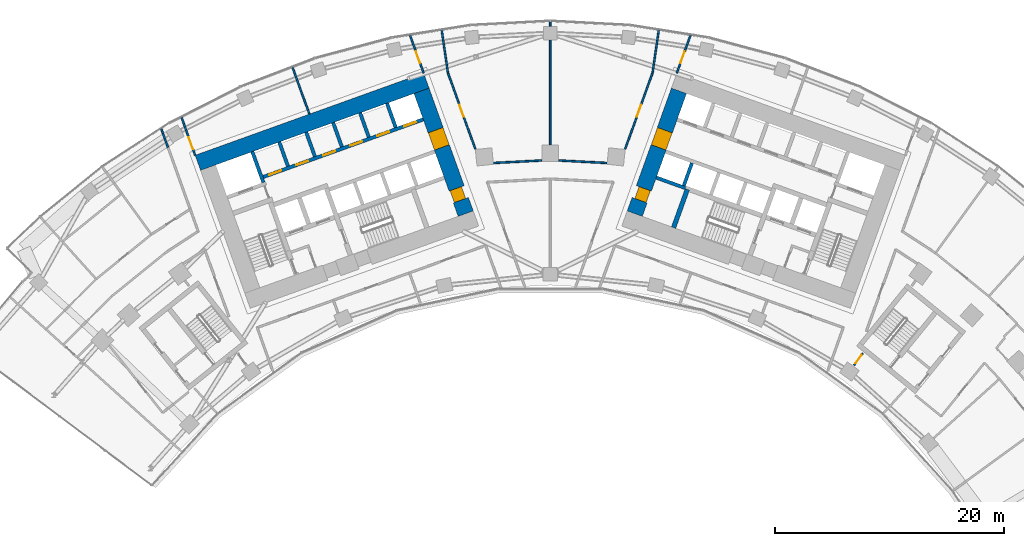
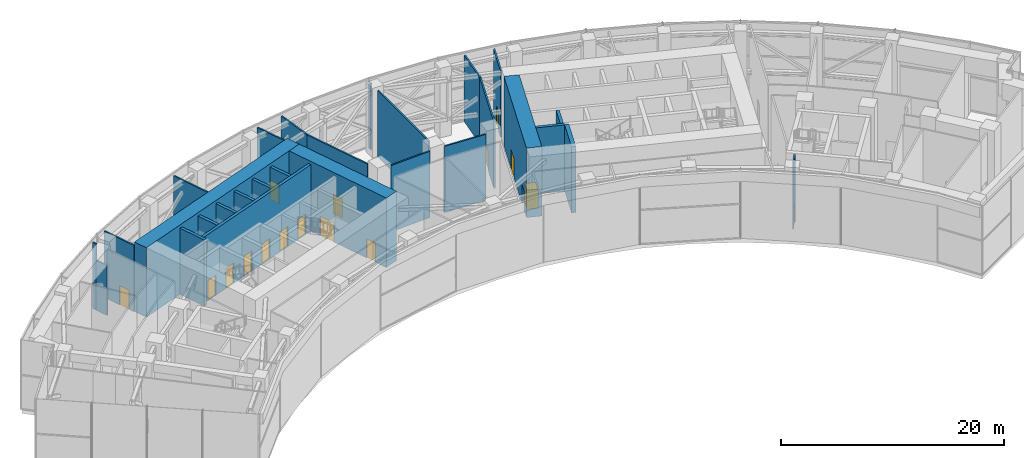
# One storey, part 24 of 30: 28 walls, 16 doors, 16 openings.
"""IFC4 building model written with IfcOpenShell, lengths in metres."""

from ifc_helpers import new_model, si_unit, direction, frame, frame_2d, origin, place, context, subcontext, project, spatial, rectangle, extrude, material, layer, layer_set, type_object, element, fill, save


model = new_model("IFC4")

# Units and contexts
model_context = context("Model", 3, precision=1e-05, world=origin(), true_north=direction((0.0, 1.0)))
body_context = subcontext(model_context, "Body", "Model", "MODEL_VIEW")
ifc_project = project(units=[si_unit("LENGTHUNIT", "METRE"), si_unit("AREAUNIT", "SQUARE_METRE"), si_unit("VOLUMEUNIT", "CUBIC_METRE"), si_unit("PLANEANGLEUNIT", "RADIAN"), si_unit("MASSUNIT", "GRAM", prefix="KILO")], contexts=[model_context])

# Site, building, storey
site_placement = place(None, origin())
site = spatial("IfcSite", under=ifc_project, at=site_placement, CompositionType="ELEMENT")
building_placement = place(site_placement, origin())
building = spatial("IfcBuilding", under=site, at=building_placement, Name="Stone Belt Terrace Tower", CompositionType="ELEMENT")
storey_placement = place(building_placement, frame((0.0, 0.0, 136.39990234375)))
storey = spatial("IfcBuildingStorey", under=building, at=storey_placement, Name="L33", CompositionType="ELEMENT", Elevation=136.39990234375)

# Wall
ifc_material_1 = material(Name="Concrete B80", Category="concrete")
ifc_layer_1 = layer(ifc_material_1, 1.39990234375)
ifc_layer_set_1 = layer_set([ifc_layer_1], Name="Core wall 1400 B80")
wall_type_1 = type_object("IfcWallType", Name="Core wall 1400 B80", PredefinedType="SHEAR", material=ifc_layer_set_1)
wall_1_placement = place(storey_placement, frame((-30.765380859375, 54.18310546875, 0.0), z_axis=(0.0, 0.0, 1.0), x_axis=(0.940919704758, 0.338629752382, 0.0)))
element("IfcWall", 1, at=wall_1_placement, inside=storey, type_object=wall_type_1, Name="Core A wall convex L33", PredefinedType="SHEAR", context=body_context, shape_type="SweptSolid", body=[
    extrude(rectangle(XDim=21.199951171875, YDim=1.39990234375, at=frame_2d((10.60009765625, 0.0))), origin(), (0.0, 0.0, 1.0), 7.60009765625),
])

# Wall, openings, doors
wall_2_placement = place(storey_placement, frame((-7.379150390625, 49.73974609375, 0.0), z_axis=(0.0, 0.0, 1.0), x_axis=(-0.338625431531, 0.940921259788, 0.0)))
wall_2 = element("IfcWall", 2, at=wall_2_placement, inside=storey, type_object=wall_type_1, Name="Core A wall end_b L33", PredefinedType="SHEAR", context=body_context, shape_type="SweptSolid", body=[
    extrude(rectangle(XDim=11.400146484375, YDim=1.39990234375, at=frame_2d((5.7001953125, 0.0))), origin(), (0.0, 0.0, 1.0), 7.60009765625),
])
opening_1_placement = place(wall_2_placement, frame((6.14990234375, 0.0, 0.0)))
opening_1 = element("IfcOpeningElement", 3, at=opening_1_placement, cuts=wall_2, Name="Opening L33-C02", PredefinedType="OPENING", context=body_context, shape_type="SweptSolid", body=[
    extrude(rectangle(XDim=1.60009765625, YDim=2.10009765625, at=frame_2d((0.800048828125, 1.050048828125))), frame((0.0, 0.7099609375, 0.0), z_axis=(0.0, -1.0, 0.0), x_axis=(1.0, 0.0, 0.0)), (0.0, 0.0, 1.0), 1.419921875),
])
opening_2_placement = place(wall_2_placement, frame((1.25, 0.0, 0.0)))
opening_2 = element("IfcOpeningElement", 4, at=opening_2_placement, cuts=wall_2, Name="Opening L33-C08", PredefinedType="OPENING", context=body_context, shape_type="SweptSolid", body=[
    extrude(rectangle(XDim=1.10009765625, YDim=2.10009765625, at=frame_2d((0.550048828125, 1.050048828125))), frame((0.0, 0.7099609375, 0.0), z_axis=(0.0, -1.0, 0.0), x_axis=(1.0, 0.0, 0.0)), (0.0, 0.0, 1.0), 1.419921875),
])
ifc_material_2 = material(Name="Timber door leaf", Category="wood")
door_type_1 = type_object("IfcDoorType", Name="Core room door 1100", OperationType="SINGLE_SWING_LEFT", PredefinedType="DOOR", material=ifc_material_2)
door_1_placement = place(opening_2_placement, origin())
door_1 = element("IfcDoor", 5, at=door_1_placement, inside=storey, type_object=door_type_1, Name="Door to Mechanical plant room core A", OperationType="SINGLE_SWING_LEFT", OverallHeight=2.10009765625, OverallWidth=1.10009765625, PredefinedType="DOOR", context=body_context, shape_type="SweptSolid", body=[
    extrude(rectangle(XDim=1.10009765625, YDim=2.10009765625, at=frame_2d((0.550048828125, 1.050048828125))), frame((0.0, 0.60498046875, 0.0), z_axis=(0.0, -1.0, 0.0), x_axis=(1.0, 0.0, 0.0)), (0.0, 0.0, 1.0), 1.050048828125),
])
fill(opening_2, door_1)
ifc_material_3 = material(Name="Glazed aluminium door leaf", Category="aluminium")
door_type_2 = type_object("IfcDoorType", Name="Lift lobby entrance door 1600", OperationType="DOUBLE_DOOR_SINGLE_SWING", PredefinedType="DOOR", material=ifc_material_3)
door_2_placement = place(opening_1_placement, origin())
door_2 = element("IfcDoor", 6, at=door_2_placement, inside=storey, type_object=door_type_2, Name="Lift lobby entrance door core A", OperationType="DOUBLE_DOOR_SINGLE_SWING", OverallHeight=2.10009765625, OverallWidth=1.60009765625, PredefinedType="DOOR", context=body_context, shape_type="SweptSolid", body=[
    extrude(rectangle(XDim=1.60009765625, YDim=2.10009765625, at=frame_2d((0.800048828125, 1.050048828125))), frame((0.0, 0.68017578125, 0.0), z_axis=(0.0, -1.0, 0.0), x_axis=(1.0, 0.0, 0.0)), (0.0, 0.0, 1.0), 1.360107421875),
])
fill(opening_1, door_2)

wall_3_placement = place(storey_placement, frame((7.379150390625, 49.73974609375, 0.0), z_axis=(0.0, 0.0, 1.0), x_axis=(0.338625431531, 0.940921259788, 0.0)))
wall_3 = element("IfcWall", 7, at=wall_3_placement, inside=storey, type_object=wall_type_1, Name="Core B wall end_a L33", PredefinedType="SHEAR", context=body_context, shape_type="SweptSolid", body=[
    extrude(rectangle(XDim=11.400146484375, YDim=1.39990234375, at=frame_2d((5.7001953125, 0.0))), origin(), (0.0, 0.0, 1.0), 7.60009765625),
])
opening_3_placement = place(wall_3_placement, frame((6.14990234375, 0.0, 0.0)))
opening_3 = element("IfcOpeningElement", 8, at=opening_3_placement, cuts=wall_3, Name="Opening L33-C10", PredefinedType="OPENING", context=body_context, shape_type="SweptSolid", body=[
    extrude(rectangle(XDim=1.60009765625, YDim=2.10009765625, at=frame_2d((0.800048828125, 1.050048828125))), frame((0.0, 0.7099609375, 0.0), z_axis=(0.0, -1.0, 0.0), x_axis=(1.0, 0.0, 0.0)), (0.0, 0.0, 1.0), 1.419921875),
])
opening_4_placement = place(wall_3_placement, frame((1.25, 0.0, 0.0)))
opening_4 = element("IfcOpeningElement", 9, at=opening_4_placement, cuts=wall_3, Name="Opening L33-C16", PredefinedType="OPENING", context=body_context, shape_type="SweptSolid", body=[
    extrude(rectangle(XDim=1.10009765625, YDim=2.10009765625, at=frame_2d((0.550048828125, 1.050048828125))), frame((0.0, 0.7099609375, 0.0), z_axis=(0.0, -1.0, 0.0), x_axis=(1.0, 0.0, 0.0)), (0.0, 0.0, 1.0), 1.419921875),
])
door_3_placement = place(opening_4_placement, origin())
door_3 = element("IfcDoor", 10, at=door_3_placement, inside=storey, type_object=door_type_1, Name="Door to Mechanical plant room core B", OperationType="SINGLE_SWING_RIGHT", OverallHeight=2.10009765625, OverallWidth=1.10009765625, PredefinedType="DOOR", context=body_context, shape_type="SweptSolid", body=[
    extrude(rectangle(XDim=1.10009765625, YDim=2.10009765625, at=frame_2d((0.550048828125, 1.050048828125))), frame((0.0, 0.44482421875, 0.0), z_axis=(0.0, -1.0, 0.0), x_axis=(1.0, 0.0, 0.0)), (0.0, 0.0, 1.0), 1.050048828125),
])
fill(opening_4, door_3)
door_4_placement = place(opening_3_placement, origin())
door_4 = element("IfcDoor", 11, at=door_4_placement, inside=storey, type_object=door_type_2, Name="Lift lobby entrance door core B", OperationType="DOUBLE_DOOR_SINGLE_SWING", OverallHeight=2.10009765625, OverallWidth=1.60009765625, PredefinedType="DOOR", context=body_context, shape_type="SweptSolid", body=[
    extrude(rectangle(XDim=1.60009765625, YDim=2.10009765625, at=frame_2d((0.800048828125, 1.050048828125))), frame((0.0, 0.68017578125, 0.0), z_axis=(0.0, -1.0, 0.0), x_axis=(1.0, 0.0, 0.0)), (0.0, 0.0, 1.0), 1.360107421875),
])
fill(opening_3, door_4)

# Wall
ifc_layer_2 = layer(ifc_material_1, 0.300048828125)
ifc_layer_set_2 = layer_set([ifc_layer_2], Name="Lift shaft wall 300")
wall_type_2 = type_object("IfcWallType", Name="Lift shaft wall 300", PredefinedType="SHEAR", material=ifc_layer_set_2)
wall_4_placement = place(storey_placement, frame((-25.046875, 52.46826171875, 0.0), z_axis=(0.0, 0.0, 1.0), x_axis=(-0.338549588058, 0.940948551423, 0.0)))
element("IfcWall", 12, at=wall_4_placement, inside=storey, type_object=wall_type_2, Name="Core A wall", PredefinedType="SHEAR", context=body_context, shape_type="SweptSolid", body=[
    extrude(rectangle(XDim=2.849853515625, YDim=0.300048828125, at=frame_2d((1.4248046875, 0.0))), origin(), (0.0, 0.0, 1.0), 7.25),
])

# Wall, openings, doors
wall_5_placement = place(storey_placement, frame((-25.05810546875, 52.9423828125, 0.0), z_axis=(0.0, 0.0, 1.0), x_axis=(0.940918215764, 0.338633889685, 0.0)))
wall_5 = element("IfcWall", 13, at=wall_5_placement, inside=storey, type_object=wall_type_2, Name="Core A wall", PredefinedType="SHEAR", context=body_context, shape_type="SweptSolid", body=[
    extrude(rectangle(XDim=14.850341796875, YDim=0.300048828125, at=frame_2d((7.42529296875, 0.0))), origin(), (0.0, 0.0, 1.0), 7.25),
])
opening_5_placement = place(wall_5_placement, frame((0.570068359375, 0.0, 0.0)))
opening_5 = element("IfcOpeningElement", 14, at=opening_5_placement, cuts=wall_5, Name="Opening L33-LD01", PredefinedType="OPENING", context=body_context, shape_type="SweptSolid", body=[
    extrude(rectangle(XDim=1.10009765625, YDim=2.199951171875, at=frame_2d((0.550048828125, 1.10009765625))), frame((0.0, 0.159912109375, 0.0), z_axis=(0.0, -1.0, 0.0), x_axis=(1.0, 0.0, 0.0)), (0.0, 0.0, 1.0), 0.320068359375),
])
opening_6_placement = place(wall_5_placement, frame((3.070068359375, 0.0, 0.0)))
opening_6 = element("IfcOpeningElement", 15, at=opening_6_placement, cuts=wall_5, Name="Opening L33-LD02", PredefinedType="OPENING", context=body_context, shape_type="SweptSolid", body=[
    extrude(rectangle(XDim=1.10009765625, YDim=2.199951171875, at=frame_2d((0.550048828125, 1.10009765625))), frame((0.0, 0.159912109375, 0.0), z_axis=(0.0, -1.0, 0.0), x_axis=(1.0, 0.0, 0.0)), (0.0, 0.0, 1.0), 0.320068359375),
])
opening_7_placement = place(wall_5_placement, frame((5.570068359375, 0.0, 0.0)))
opening_7 = element("IfcOpeningElement", 16, at=opening_7_placement, cuts=wall_5, Name="Opening L33-LD03", PredefinedType="OPENING", context=body_context, shape_type="SweptSolid", body=[
    extrude(rectangle(XDim=1.10009765625, YDim=2.199951171875, at=frame_2d((0.550048828125, 1.10009765625))), frame((0.0, 0.159912109375, 0.0), z_axis=(0.0, -1.0, 0.0), x_axis=(1.0, 0.0, 0.0)), (0.0, 0.0, 1.0), 0.320068359375),
])
opening_8_placement = place(wall_5_placement, frame((8.070068359375, 0.0, 0.0)))
opening_8 = element("IfcOpeningElement", 17, at=opening_8_placement, cuts=wall_5, Name="Opening L33-LD04", PredefinedType="OPENING", context=body_context, shape_type="SweptSolid", body=[
    extrude(rectangle(XDim=1.10009765625, YDim=2.199951171875, at=frame_2d((0.550048828125, 1.10009765625))), frame((0.0, 0.159912109375, 0.0), z_axis=(0.0, -1.0, 0.0), x_axis=(1.0, 0.0, 0.0)), (0.0, 0.0, 1.0), 0.320068359375),
])
opening_9_placement = place(wall_5_placement, frame((10.570068359375, 0.0, 0.0)))
opening_9 = element("IfcOpeningElement", 18, at=opening_9_placement, cuts=wall_5, Name="Opening L33-LD05", PredefinedType="OPENING", context=body_context, shape_type="SweptSolid", body=[
    extrude(rectangle(XDim=1.10009765625, YDim=2.199951171875, at=frame_2d((0.550048828125, 1.10009765625))), frame((0.0, 0.159912109375, 0.0), z_axis=(0.0, -1.0, 0.0), x_axis=(1.0, 0.0, 0.0)), (0.0, 0.0, 1.0), 0.320068359375),
])
opening_10_placement = place(wall_5_placement, frame((13.070068359375, 0.0, 0.0)))
opening_10 = element("IfcOpeningElement", 19, at=opening_10_placement, cuts=wall_5, Name="Opening L33-LD06", PredefinedType="OPENING", context=body_context, shape_type="SweptSolid", body=[
    extrude(rectangle(XDim=1.10009765625, YDim=2.199951171875, at=frame_2d((0.550048828125, 1.10009765625))), frame((0.0, 0.159912109375, 0.0), z_axis=(0.0, -1.0, 0.0), x_axis=(1.0, 0.0, 0.0)), (0.0, 0.0, 1.0), 0.320068359375),
])
ifc_material_4 = material(Name="Stainless steel door leaf", Category="steel")
door_type_3 = type_object("IfcDoorType", Name="Landing door 1100", OperationType="SLIDING_TO_LEFT", PredefinedType="DOOR", material=ifc_material_4)
door_5_placement = place(opening_5_placement, origin())
door_5 = element("IfcDoor", 20, at=door_5_placement, inside=storey, type_object=door_type_3, Name="Landing door LR1 core A", OperationType="SLIDING_TO_LEFT", OverallHeight=2.199951171875, OverallWidth=1.10009765625, PredefinedType="DOOR", context=body_context, shape_type="SweptSolid", body=[
    extrude(rectangle(XDim=1.10009765625, YDim=2.199951171875, at=frame_2d((0.550048828125, 1.10009765625))), frame((0.0, 0.02490234375, 0.0), z_axis=(0.0, -1.0, 0.0), x_axis=(1.0, 0.0, 0.0)), (0.0, 0.0, 1.0), 0.050048828125),
])
fill(opening_5, door_5)
door_6_placement = place(opening_6_placement, origin())
door_6 = element("IfcDoor", 21, at=door_6_placement, inside=storey, type_object=door_type_3, Name="Landing door LR2 core A", OperationType="SLIDING_TO_LEFT", OverallHeight=2.199951171875, OverallWidth=1.10009765625, PredefinedType="DOOR", context=body_context, shape_type="SweptSolid", body=[
    extrude(rectangle(XDim=1.10009765625, YDim=2.199951171875, at=frame_2d((0.550048828125, 1.10009765625))), frame((0.0, 0.02490234375, 0.0), z_axis=(0.0, -1.0, 0.0), x_axis=(1.0, 0.0, 0.0)), (0.0, 0.0, 1.0), 0.050048828125),
])
fill(opening_6, door_6)
door_7_placement = place(opening_7_placement, origin())
door_7 = element("IfcDoor", 22, at=door_7_placement, inside=storey, type_object=door_type_3, Name="Landing door LR3 core A", OperationType="SLIDING_TO_LEFT", OverallHeight=2.199951171875, OverallWidth=1.10009765625, PredefinedType="DOOR", context=body_context, shape_type="SweptSolid", body=[
    extrude(rectangle(XDim=1.10009765625, YDim=2.199951171875, at=frame_2d((0.550048828125, 1.10009765625))), frame((0.0, 0.02490234375, 0.0), z_axis=(0.0, -1.0, 0.0), x_axis=(1.0, 0.0, 0.0)), (0.0, 0.0, 1.0), 0.050048828125),
])
fill(opening_7, door_7)
door_8_placement = place(opening_8_placement, origin())
door_8 = element("IfcDoor", 23, at=door_8_placement, inside=storey, type_object=door_type_3, Name="Landing door LR4 core A", OperationType="SLIDING_TO_LEFT", OverallHeight=2.199951171875, OverallWidth=1.10009765625, PredefinedType="DOOR", context=body_context, shape_type="SweptSolid", body=[
    extrude(rectangle(XDim=1.10009765625, YDim=2.199951171875, at=frame_2d((0.550048828125, 1.10009765625))), frame((0.0, 0.02490234375, 0.0), z_axis=(0.0, -1.0, 0.0), x_axis=(1.0, 0.0, 0.0)), (0.0, 0.0, 1.0), 0.050048828125),
])
fill(opening_8, door_8)
door_9_placement = place(opening_9_placement, origin())
door_9 = element("IfcDoor", 24, at=door_9_placement, inside=storey, type_object=door_type_3, Name="Landing door LR5 core A", OperationType="SLIDING_TO_LEFT", OverallHeight=2.199951171875, OverallWidth=1.10009765625, PredefinedType="DOOR", context=body_context, shape_type="SweptSolid", body=[
    extrude(rectangle(XDim=1.10009765625, YDim=2.199951171875, at=frame_2d((0.550048828125, 1.10009765625))), frame((0.0, 0.02490234375, 0.0), z_axis=(0.0, -1.0, 0.0), x_axis=(1.0, 0.0, 0.0)), (0.0, 0.0, 1.0), 0.050048828125),
])
fill(opening_9, door_9)
door_10_placement = place(opening_10_placement, origin())
door_10 = element("IfcDoor", 25, at=door_10_placement, inside=storey, type_object=door_type_3, Name="Landing door LR6 core A", OperationType="SLIDING_TO_LEFT", OverallHeight=2.199951171875, OverallWidth=1.10009765625, PredefinedType="DOOR", context=body_context, shape_type="SweptSolid", body=[
    extrude(rectangle(XDim=1.10009765625, YDim=2.199951171875, at=frame_2d((0.550048828125, 1.10009765625))), frame((0.0, 0.02490234375, 0.0), z_axis=(0.0, -1.0, 0.0), x_axis=(1.0, 0.0, 0.0)), (0.0, 0.0, 1.0), 0.050048828125),
])
fill(opening_10, door_10)

# Walls
wall_6_placement = place(storey_placement, frame((-22.897705078125, 53.87939453125, 0.0), z_axis=(0.0, 0.0, 1.0), x_axis=(-0.338535034312, 0.940953787677, 0.0)))
element("IfcWall", 26, at=wall_6_placement, inside=storey, type_object=wall_type_2, Name="Core A wall", PredefinedType="SHEAR", context=body_context, shape_type="SweptSolid", body=[
    extrude(rectangle(XDim=2.25, YDim=0.300048828125, at=frame_2d((1.125, 0.0))), origin(), (0.0, 0.0, 1.0), 7.25),
])
wall_7_placement = place(storey_placement, frame((-20.54541015625, 54.72607421875, 0.0), z_axis=(0.0, 0.0, 1.0), x_axis=(-0.338569601369, 0.940941350472, 0.0)))
element("IfcWall", 27, at=wall_7_placement, inside=storey, type_object=wall_type_2, Name="Core A wall", PredefinedType="SHEAR", context=body_context, shape_type="SweptSolid", body=[
    extrude(rectangle(XDim=2.249755859375, YDim=0.300048828125, at=frame_2d((1.125, 0.0))), origin(), (0.0, 0.0, 1.0), 7.25),
])
wall_8_placement = place(storey_placement, frame((-18.193115234375, 55.572509765625, 0.0), z_axis=(0.0, 0.0, 1.0), x_axis=(-0.338535034312, 0.940953787677, 0.0)))
element("IfcWall", 28, at=wall_8_placement, inside=storey, type_object=wall_type_2, Name="Core A wall", PredefinedType="SHEAR", context=body_context, shape_type="SweptSolid", body=[
    extrude(rectangle(XDim=2.25, YDim=0.300048828125, at=frame_2d((1.125, 0.0))), origin(), (0.0, 0.0, 1.0), 7.25),
])
wall_9_placement = place(storey_placement, frame((-15.8408203125, 56.419189453125, 0.0), z_axis=(0.0, 0.0, 1.0), x_axis=(-0.338569601369, 0.940941350472, 0.0)))
element("IfcWall", 29, at=wall_9_placement, inside=storey, type_object=wall_type_2, Name="Core A wall", PredefinedType="SHEAR", context=body_context, shape_type="SweptSolid", body=[
    extrude(rectangle(XDim=2.249755859375, YDim=0.300048828125, at=frame_2d((1.125, 0.0))), origin(), (0.0, 0.0, 1.0), 7.25),
])
wall_10_placement = place(storey_placement, frame((-13.48828125, 57.265625, 0.0), z_axis=(0.0, 0.0, 1.0), x_axis=(-0.338631098537, 0.940919220286, 0.0)))
element("IfcWall", 30, at=wall_10_placement, inside=storey, type_object=wall_type_2, Name="Core A wall", PredefinedType="SHEAR", context=body_context, shape_type="SweptSolid", body=[
    extrude(rectangle(XDim=2.250244140625, YDim=0.300048828125, at=frame_2d((1.125, 0.0))), origin(), (0.0, 0.0, 1.0), 7.25),
])
wall_11_placement = place(storey_placement, frame((11.797119140625, 51.975830078125, 0.0), z_axis=(0.0, 0.0, 1.0), x_axis=(-0.940910465161, 0.33865542451, 0.0)))
element("IfcWall", 31, at=wall_11_placement, inside=storey, type_object=wall_type_2, Name="Core B wall", PredefinedType="SHEAR", context=body_context, shape_type="SweptSolid", body=[
    extrude(rectangle(XDim=2.69970703125, YDim=0.300048828125, at=frame_2d((1.349853515625, 0.0))), origin(), (0.0, 0.0, 1.0), 7.25),
])
wall_12_placement = place(storey_placement, frame((11.659912109375, 52.184814453125, 0.0), z_axis=(0.0, 0.0, 1.0), x_axis=(0.338670064856, 0.940905195634, 0.0)))
element("IfcWall", 32, at=wall_12_placement, inside=storey, type_object=wall_type_2, Name="Core B wall", PredefinedType="SHEAR", context=body_context, shape_type="SweptSolid", body=[
    extrude(rectangle(XDim=2.099853515625, YDim=0.300048828125, at=frame_2d((1.0498046875, 0.0))), origin(), (0.0, 0.0, 1.0), 7.25),
])

# Wall, opening, door
ifc_material_5 = material(Name="Gypsum board partition")
ifc_layer_3 = layer(ifc_material_5, 0.14990234375)
ifc_layer_set_3 = layer_set([ifc_layer_3], Name="PARTITION 150 EI 60")
wall_type_3 = type_object("IfcWallType", Name="PARTITION 150 EI 60", PredefinedType="PARTITIONING", material=ifc_layer_set_3)
wall_13_placement = place(storey_placement, frame((-32.185791015625, 58.131103515625, 0.0), z_axis=(0.0, 0.0, 1.0), x_axis=(0.338662585219, -0.940907887826, 0.0)))
wall_13 = element("IfcWall", 33, at=wall_13_placement, inside=storey, type_object=wall_type_3, Name="L33/wall/i002", PredefinedType="PARTITIONING", context=body_context, shape_type="SweptSolid", body=[
    extrude(rectangle(XDim=3.49560546875, YDim=0.14990234375, at=frame_2d((1.747802734375, 0.0))), origin(), (0.0, 0.0, 1.0), 7.25),
])
opening_11_placement = place(wall_13_placement, frame((1.826416015625, 0.0, 0.0)))
opening_11 = element("IfcOpeningElement", 34, at=opening_11_placement, cuts=wall_13, Name="Opening D-T2-04", PredefinedType="OPENING", context=body_context, shape_type="SweptSolid", body=[
    extrude(rectangle(XDim=1.10009765625, YDim=2.10009765625, at=frame_2d((0.550048828125, 1.050048828125))), frame((0.0, 0.0849609375, 0.0), z_axis=(0.0, -1.0, 0.0), x_axis=(1.0, 0.0, 0.0)), (0.0, 0.0, 1.0), 0.169921875),
])
ifc_material_6 = material(Name="Steel fire door set", Category="steel")
door_type_4 = type_object("IfcDoorType", Name="SERVICE ROOM DOOR 1100 X 2100", OperationType="NOTDEFINED", PredefinedType="DOOR", material=ifc_material_6)
door_11_placement = place(opening_11_placement, origin())
door_11 = element("IfcDoor", 35, at=door_11_placement, inside=storey, type_object=door_type_4, Name="L33/door/i04", OperationType="SINGLE_SWING_RIGHT", OverallHeight=2.10009765625, OverallWidth=1.10009765625, PredefinedType="DOOR", context=body_context, shape_type="SweptSolid", body=[
    extrude(rectangle(XDim=1.10009765625, YDim=2.10009765625, at=frame_2d((0.550048828125, 1.050048828125))), frame((0.0, 0.02490234375, 0.0), z_axis=(0.0, -1.0, 0.0), x_axis=(1.0, 0.0, 0.0)), (0.0, 0.0, 1.0), 0.050048828125),
])
fill(opening_11, door_11)

# Walls
wall_14_placement = place(storey_placement, frame((-33.3798828125, 55.541748046875, 0.0), z_axis=(0.0, 0.0, 1.0), x_axis=(-0.338651678163, 0.94091181355, 0.0)))
element("IfcWall", 36, at=wall_14_placement, inside=storey, type_object=wall_type_3, Name="L33/wall/i006-2", PredefinedType="PARTITIONING", context=body_context, shape_type="SweptSolid", body=[
    extrude(rectangle(XDim=1.275390625, YDim=0.14990234375, at=frame_2d((0.6376953125, 0.0))), origin(), (0.0, 0.0, 1.0), 5.4501953125),
])
wall_15_placement = place(storey_placement, frame((-33.811767578125, 56.74169921875, 0.0), z_axis=(0.0, 0.0, 1.0), x_axis=(-0.338615018304, 0.940925007309, 0.0)))
element("IfcWall", 37, at=wall_15_placement, inside=storey, type_object=wall_type_3, Name="L33/wall/i006-3", PredefinedType="PARTITIONING", context=body_context, shape_type="SweptSolid", body=[
    extrude(rectangle(XDim=0.413818359375, YDim=0.14990234375, at=frame_2d((0.20703125, 0.0))), origin(), (0.0, 0.0, 1.0), 7.25),
])

# Wall, opening, door
wall_16_placement = place(storey_placement, frame((-11.054931640625, 62.02099609375, 0.0), z_axis=(0.0, 0.0, 1.0), x_axis=(-0.338942963923, 0.940806923448, 0.0)))
wall_16 = element("IfcWall", 38, at=wall_16_placement, inside=storey, type_object=wall_type_3, Name="L33/wall/i008", PredefinedType="PARTITIONING", context=body_context, shape_type="SweptSolid", body=[
    extrude(rectangle(XDim=3.481201171875, YDim=0.14990234375, at=frame_2d((1.74072265625, 0.0))), origin(), (0.0, 0.0, 1.0), 7.25),
])
opening_12_placement = place(wall_16_placement, frame((0.92333984375, 0.0, 0.0)))
opening_12 = element("IfcOpeningElement", 39, at=opening_12_placement, cuts=wall_16, Name="Opening D-T2-05", PredefinedType="OPENING", context=body_context, shape_type="SweptSolid", body=[
    extrude(rectangle(XDim=1.10009765625, YDim=2.10009765625, at=frame_2d((0.550048828125, 1.050048828125))), frame((0.0, 0.0849609375, 0.0), z_axis=(0.0, -1.0, 0.0), x_axis=(1.0, 0.0, 0.0)), (0.0, 0.0, 1.0), 0.169921875),
])
door_12_placement = place(opening_12_placement, origin())
door_12 = element("IfcDoor", 40, at=door_12_placement, inside=storey, type_object=door_type_4, Name="L33/door/i05", OperationType="SINGLE_SWING_LEFT", OverallHeight=2.10009765625, OverallWidth=1.10009765625, PredefinedType="DOOR", context=body_context, shape_type="SweptSolid", body=[
    extrude(rectangle(XDim=1.10009765625, YDim=2.10009765625, at=frame_2d((0.550048828125, 1.050048828125))), frame((0.0, 0.02490234375, 0.0), z_axis=(0.0, -1.0, 0.0), x_axis=(1.0, 0.0, 0.0)), (0.0, 0.0, 1.0), 0.050048828125),
])
fill(opening_12, door_12)

# Wall
wall_17_placement = place(storey_placement, frame((-9.47021484375, 65.736083984375, 0.0), z_axis=(0.0, 0.0, 1.0), x_axis=(0.14267653425, -0.989769370396, 0.0)))
element("IfcWall", 41, at=wall_17_placement, inside=storey, type_object=wall_type_3, Name="L33/wall/i010", PredefinedType="PARTITIONING", context=body_context, shape_type="SweptSolid", body=[
    extrude(rectangle(XDim=3.730224609375, YDim=0.14990234375, at=frame_2d((1.865234375, 0.0))), origin(), (0.0, 0.0, 1.0), 7.25),
])

# Wall, opening, door
wall_18_placement = place(storey_placement, frame((-8.93798828125, 62.04296875, 0.0), z_axis=(0.0, 0.0, 1.0), x_axis=(0.338587710558, -0.940934834225, 0.0)))
wall_18 = element("IfcWall", 42, at=wall_18_placement, inside=storey, type_object=wall_type_3, Name="L33/wall/i011", PredefinedType="PARTITIONING", context=body_context, shape_type="SweptSolid", body=[
    extrude(rectangle(XDim=7.08642578125, YDim=0.14990234375, at=frame_2d((3.543212890625, 0.0))), origin(), (0.0, 0.0, 1.0), 7.25),
])
opening_13_placement = place(wall_18_placement, frame((2.993408203125, 0.0, 0.0)))
opening_13 = element("IfcOpeningElement", 43, at=opening_13_placement, cuts=wall_18, Name="Opening D-T2-30", PredefinedType="OPENING", context=body_context, shape_type="SweptSolid", body=[
    extrude(rectangle(XDim=1.10009765625, YDim=2.10009765625, at=frame_2d((0.550048828125, 1.050048828125))), frame((0.0, 0.0849609375, 0.0), z_axis=(0.0, -1.0, 0.0), x_axis=(1.0, 0.0, 0.0)), (0.0, 0.0, 1.0), 0.169921875),
])
door_13_placement = place(opening_13_placement, origin())
door_13 = element("IfcDoor", 44, at=door_13_placement, inside=storey, type_object=door_type_4, Name="L33/door/i30", OperationType="SINGLE_SWING_LEFT", OverallHeight=2.10009765625, OverallWidth=1.10009765625, PredefinedType="DOOR", context=body_context, shape_type="SweptSolid", body=[
    extrude(rectangle(XDim=1.10009765625, YDim=2.10009765625, at=frame_2d((0.550048828125, 1.050048828125))), frame((0.0, 0.02490234375, 0.0), z_axis=(0.0, -1.0, 0.0), x_axis=(1.0, 0.0, 0.0)), (0.0, 0.0, 1.0), 0.050048828125),
])
fill(opening_13, door_13)

# Wall
wall_19_placement = place(storey_placement, frame((-22.492919921875, 62.4990234375, 0.0), z_axis=(0.0, 0.0, 1.0), x_axis=(0.338585491978, -0.94093563256, 0.0)))
element("IfcWall", 45, at=wall_19_placement, inside=storey, type_object=wall_type_3, Name="L33/wall/i017", PredefinedType="PARTITIONING", context=body_context, shape_type="SweptSolid", body=[
    extrude(rectangle(XDim=4.323486328125, YDim=0.14990234375, at=frame_2d((2.16162109375, 0.0))), origin(), (0.0, 0.0, 1.0), 7.25),
])

# Wall, opening, door
wall_20_placement = place(storey_placement, frame((12.23486328125, 65.296142578125, 0.0), z_axis=(0.0, 0.0, 1.0), x_axis=(-0.338942963923, -0.940806923448, 0.0)))
wall_20 = element("IfcWall", 46, at=wall_20_placement, inside=storey, type_object=wall_type_3, Name="L33/wall/i019", PredefinedType="PARTITIONING", context=body_context, shape_type="SweptSolid", body=[
    extrude(rectangle(XDim=3.481201171875, YDim=0.14990234375, at=frame_2d((1.74072265625, 0.0))), origin(), (0.0, 0.0, 1.0), 7.25),
])
opening_14_placement = place(wall_20_placement, frame((1.457763671875, 0.0, 0.0)))
opening_14 = element("IfcOpeningElement", 47, at=opening_14_placement, cuts=wall_20, Name="Opening D-T2-09", PredefinedType="OPENING", context=body_context, shape_type="SweptSolid", body=[
    extrude(rectangle(XDim=1.10009765625, YDim=2.10009765625, at=frame_2d((0.550048828125, 1.050048828125))), frame((0.0, 0.0849609375, 0.0), z_axis=(0.0, -1.0, 0.0), x_axis=(1.0, 0.0, 0.0)), (0.0, 0.0, 1.0), 0.169921875),
])
door_14_placement = place(opening_14_placement, origin())
door_14 = element("IfcDoor", 48, at=door_14_placement, inside=storey, type_object=door_type_4, Name="L33/door/i09", OperationType="SINGLE_SWING_RIGHT", OverallHeight=2.10009765625, OverallWidth=1.10009765625, PredefinedType="DOOR", context=body_context, shape_type="SweptSolid", body=[
    extrude(rectangle(XDim=1.10009765625, YDim=2.10009765625, at=frame_2d((0.550048828125, 1.050048828125))), frame((0.0, 0.02490234375, 0.0), z_axis=(0.0, -1.0, 0.0), x_axis=(1.0, 0.0, 0.0)), (0.0, 0.0, 1.0), 0.050048828125),
])
fill(opening_14, door_14)

wall_21_placement = place(storey_placement, frame((6.53857421875, 55.375, 0.0), z_axis=(0.0, 0.0, 1.0), x_axis=(0.338587710558, 0.940934834225, 0.0)))
wall_21 = element("IfcWall", 49, at=wall_21_placement, inside=storey, type_object=wall_type_3, Name="L33/wall/i021", PredefinedType="PARTITIONING", context=body_context, shape_type="SweptSolid", body=[
    extrude(rectangle(XDim=7.08642578125, YDim=0.14990234375, at=frame_2d((3.543212890625, 0.0))), origin(), (0.0, 0.0, 1.0), 7.25),
])
opening_15_placement = place(wall_21_placement, frame((2.993408203125, 0.0, 0.0)))
opening_15 = element("IfcOpeningElement", 50, at=opening_15_placement, cuts=wall_21, Name="Opening D-T2-31", PredefinedType="OPENING", context=body_context, shape_type="SweptSolid", body=[
    extrude(rectangle(XDim=1.10009765625, YDim=2.10009765625, at=frame_2d((0.550048828125, 1.050048828125))), frame((0.0, 0.0849609375, 0.0), z_axis=(0.0, -1.0, 0.0), x_axis=(1.0, 0.0, 0.0)), (0.0, 0.0, 1.0), 0.169921875),
])
door_15_placement = place(opening_15_placement, origin())
door_15 = element("IfcDoor", 51, at=door_15_placement, inside=storey, type_object=door_type_4, Name="L33/door/i31", OperationType="SINGLE_SWING_LEFT", OverallHeight=2.10009765625, OverallWidth=1.10009765625, PredefinedType="DOOR", context=body_context, shape_type="SweptSolid", body=[
    extrude(rectangle(XDim=1.10009765625, YDim=2.10009765625, at=frame_2d((0.550048828125, 1.050048828125))), frame((0.0, 0.02490234375, 0.0), z_axis=(0.0, -1.0, 0.0), x_axis=(1.0, 0.0, 0.0)), (0.0, 0.0, 1.0), 0.050048828125),
])
fill(opening_15, door_15)

# Wall
wall_22_placement = place(storey_placement, frame((8.93798828125, 62.0439453125, 0.0), z_axis=(0.0, 0.0, 1.0), x_axis=(0.14267653425, 0.989769370396, 0.0)))
element("IfcWall", 52, at=wall_22_placement, inside=storey, type_object=wall_type_3, Name="L33/wall/i022", PredefinedType="PARTITIONING", context=body_context, shape_type="SweptSolid", body=[
    extrude(rectangle(XDim=3.730224609375, YDim=0.14990234375, at=frame_2d((1.865234375, 0.0))), origin(), (0.0, 0.0, 1.0), 7.25),
])

# Wall, opening, door
wall_23_placement = place(storey_placement, frame((27.282958984375, 37.552001953125, 0.0), z_axis=(0.0, 0.0, 1.0), x_axis=(-0.587851817093, -0.808968628032, 0.0)))
wall_23 = element("IfcWall", 53, at=wall_23_placement, inside=storey, type_object=wall_type_3, Name="L33/wall/i026", PredefinedType="PARTITIONING", context=body_context, shape_type="SweptSolid", body=[
    extrude(rectangle(XDim=1.270751953125, YDim=0.14990234375, at=frame_2d((0.63525390625, 0.0))), origin(), (0.0, 0.0, 1.0), 7.25),
])
opening_16_placement = place(wall_23_placement, frame((0.185302734375, 0.0, 0.0)))
opening_16 = element("IfcOpeningElement", 54, at=opening_16_placement, cuts=wall_23, Name="Opening D-T2-21", PredefinedType="OPENING", context=body_context, shape_type="SweptSolid", body=[
    extrude(rectangle(XDim=0.89990234375, YDim=2.10009765625, at=frame_2d((0.449951171875, 1.050048828125))), frame((0.0, 0.0849609375, 0.0), z_axis=(0.0, -1.0, 0.0), x_axis=(1.0, 0.0, 0.0)), (0.0, 0.0, 1.0), 0.169921875),
])
door_type_5 = type_object("IfcDoorType", Name="SERVICE ROOM DOOR 900 X 2100", OperationType="NOTDEFINED", PredefinedType="DOOR", material=ifc_material_6)
door_16_placement = place(opening_16_placement, origin())
door_16 = element("IfcDoor", 55, at=door_16_placement, inside=storey, type_object=door_type_5, Name="L33/door/i21", OperationType="SINGLE_SWING_RIGHT", OverallHeight=2.10009765625, OverallWidth=0.89990234375, PredefinedType="DOOR", context=body_context, shape_type="SweptSolid", body=[
    extrude(rectangle(XDim=0.89990234375, YDim=2.10009765625, at=frame_2d((0.449951171875, 1.050048828125))), frame((0.0, 0.02490234375, 0.0), z_axis=(0.0, -1.0, 0.0), x_axis=(1.0, 0.0, 0.0)), (0.0, 0.0, 1.0), 0.050048828125),
])
fill(opening_16, door_16)

# Walls
for number, where, z_axis, x_axis, name in (
    (56, (-4.93408203125, 54.16650390625, 0.0), (0.0, 0.0, 1.0), (0.99862988953, 0.05232918629, 0.0), "L33/wall/i081"),
    (57, (0.7548828125, 54.385498046875, 0.0), (0.0, 0.0, 1.0), (0.99862988953, -0.05232918629, 0.0), "L33/wall/i082"),
):
    element("IfcWall", number, at=place(storey_placement, frame(where, z_axis=z_axis, x_axis=x_axis)), inside=storey, type_object=wall_type_3, Name=name, PredefinedType="PARTITIONING", context=body_context, shape_type="SweptSolid", body=[
        extrude(rectangle(XDim=4.184814453125, YDim=0.14990234375, at=frame_2d((2.09228515625, 0.0))), origin(), (0.0, 0.0, 1.0), 7.25),
    ])
wall_24_placement = place(storey_placement, frame((0.0, 66.5, 0.0), z_axis=(0.0, 0.0, 1.0), x_axis=(0.0, -1.0, 0.0)))
element("IfcWall", 58, at=wall_24_placement, inside=storey, type_object=wall_type_3, Name="L33/wall/i084", PredefinedType="PARTITIONING", context=body_context, shape_type="SweptSolid", body=[
    extrude(rectangle(XDim=0.406005859375, YDim=0.14990234375, at=frame_2d((0.203125, 0.0))), origin(), (0.0, 0.0, 1.0), 7.25),
])
wall_25_placement = place(storey_placement, frame((0.0, 64.8837890625, 0.0), z_axis=(0.0, 0.0, 1.0), x_axis=(0.0, -1.0, 0.0)))
element("IfcWall", 59, at=wall_25_placement, inside=storey, type_object=wall_type_3, Name="L33/wall/i085", PredefinedType="PARTITIONING", context=body_context, shape_type="SweptSolid", body=[
    extrude(rectangle(XDim=9.12890625, YDim=0.14990234375, at=frame_2d((4.564453125, 0.0))), origin(), (0.0, 0.0, 1.0), 7.25),
])
ifc_layer_4 = layer(ifc_material_1, 0.39990234375)
ifc_layer_set_4 = layer_set([ifc_layer_4], Name="Stair enclosure wall 400")
wall_type_4 = type_object("IfcWallType", Name="Stair enclosure wall 400", PredefinedType="SHEAR", material=ifc_layer_set_4)
wall_26_placement = place(storey_placement, frame((10.766357421875, 48.520751953125, 0.0), z_axis=(0.0, 0.0, 1.0), x_axis=(0.338626928157, 0.94092072117, 0.0)))
element("IfcWall", 60, at=wall_26_placement, inside=storey, type_object=wall_type_4, Name="Core B wall", PredefinedType="SHEAR", context=body_context, shape_type="SweptSolid", body=[
    extrude(rectangle(XDim=3.550048828125, YDim=0.39990234375, at=frame_2d((1.77490234375, 0.0))), origin(), (0.0, 0.0, 1.0), 7.25),
])

save(model, "model.ifc")
